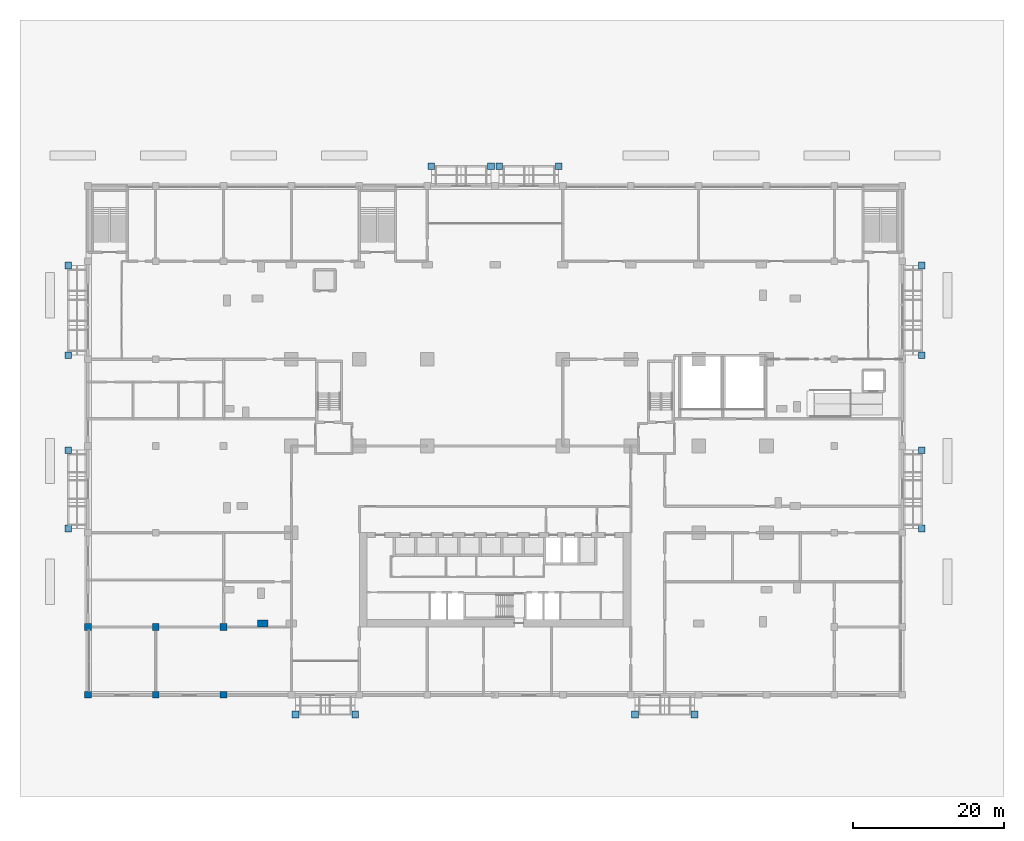
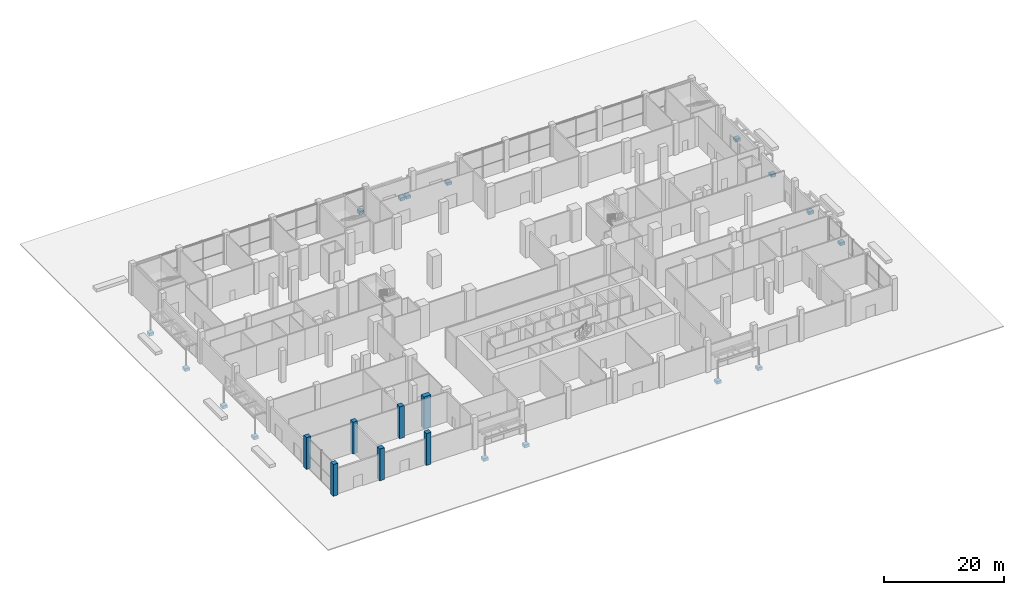
# One storey, part 1 of 39: 16 footings, 7 columns.
"""IFC4 building model written with IfcOpenShell, lengths in metres."""

from ifc_helpers import new_model, si_unit, direction, frame, origin, origin_2d, place, context, subcontext, project, spatial, rectangle, extrude, material, layer, layer_set, material_profile, profile_set, type_object, element, save


model = new_model("IFC4")

# Units and contexts
model_context = context("Model", 3, precision=1e-05, world=origin(), true_north=direction((0.0, 1.0)))
body_context = subcontext(model_context, "Body", "Model", "MODEL_VIEW")
ifc_project = project(units=[si_unit("LENGTHUNIT", "METRE"), si_unit("AREAUNIT", "SQUARE_METRE"), si_unit("VOLUMEUNIT", "CUBIC_METRE"), si_unit("PLANEANGLEUNIT", "RADIAN"), si_unit("MASSUNIT", "GRAM", prefix="KILO")], contexts=[model_context])

# Site, building, storey
site_placement = place(None, origin())
site = spatial("IfcSite", under=ifc_project, at=site_placement, CompositionType="ELEMENT")
building_placement = place(site_placement, origin())
building = spatial("IfcBuilding", under=site, at=building_placement, Name="Brigalow Station Residences", CompositionType="ELEMENT")
storey_placement = place(building_placement, origin())
storey = spatial("IfcBuildingStorey", under=building, at=storey_placement, Name="L00", CompositionType="ELEMENT", Elevation=0.0)

# Footings
ifc_material_1 = material(Name="Concrete C50", Category="concrete")
ifc_layer = layer(ifc_material_1, 0.60009765625)
ifc_layer_set = layer_set([ifc_layer], Name="CANOPY PAD FOOTING 900")
footing_type = type_object("IfcFootingType", Name="CANOPY PAD FOOTING 900", PredefinedType="PAD_FOOTING", material=ifc_layer_set)
for number, where, z_axis, x_axis, name in (
    (1, (92.595458984375, 36.050048828125, -1.0), (0.0, 0.0, 1.0), (0.0, 1.0, 0.0), "L00/canopy-pad/E-entry-1"),
    (2, (92.595458984375, 47.949951171875, -1.0), (0.0, 0.0, 1.0), (0.0, 1.0, 0.0), "L00/canopy-pad/E-entry-2"),
    (3, (92.595458984375, 13.050048828125, -1.0), (0.0, 0.0, 1.0), (0.0, 1.0, 0.0), "L00/canopy-pad/E-exit-1"),
    (4, (92.595458984375, 23.449951171875, -1.0), (0.0, 0.0, 1.0), (0.0, 1.0, 0.0), "L00/canopy-pad/E-exit-2"),
    (5, (36.550048828125, 61.111083984375, -1.0), (0.0, 0.0, 1.0), (1.0, 0.0, 0.0), "L00/canopy-pad/N-entry-e-1"),
    (6, (44.449951171875, 61.111083984375, -1.0), (0.0, 0.0, 1.0), (1.0, 0.0, 0.0), "L00/canopy-pad/N-entry-e-2"),
    (7, (27.550048828125, 61.111083984375, -1.0), (0.0, 0.0, 1.0), (1.0, 0.0, 0.0), "L00/canopy-pad/N-entry-w-1"),
    (8, (35.449951171875, 61.111083984375, -1.0), (0.0, 0.0, 1.0), (1.0, 0.0, 0.0), "L00/canopy-pad/N-entry-w-2"),
    (9, (9.550048828125, -11.611083984375, -1.0), (0.0, 0.0, 1.0), (1.0, 0.0, 0.0), "L00/canopy-pad/S-resvest-1"),
    (10, (17.449951171875, -11.611083984375, -1.0), (0.0, 0.0, 1.0), (1.0, 0.0, 0.0), "L00/canopy-pad/S-resvest-2"),
    (11, (54.550048828125, -11.611083984375, -1.0), (0.0, 0.0, 1.0), (1.0, 0.0, 0.0), "L00/canopy-pad/S-svc-1"),
    (12, (62.449951171875, -11.611083984375, -1.0), (0.0, 0.0, 1.0), (1.0, 0.0, 0.0), "L00/canopy-pad/S-svc-2"),
    (13, (-20.595458984375, 36.050048828125, -1.0), (0.0, 0.0, 1.0), (0.0, 1.0, 0.0), "L00/canopy-pad/W-entry-1"),
    (14, (-20.595458984375, 47.949951171875, -1.0), (0.0, 0.0, 1.0), (0.0, 1.0, 0.0), "L00/canopy-pad/W-entry-2"),
    (15, (-20.595458984375, 13.050048828125, -1.0), (0.0, 0.0, 1.0), (0.0, 1.0, 0.0), "L00/canopy-pad/W-exit-1"),
    (16, (-20.595458984375, 23.449951171875, -1.0), (0.0, 0.0, 1.0), (0.0, 1.0, 0.0), "L00/canopy-pad/W-exit-2"),
):
    element("IfcFooting", number, at=place(storey_placement, frame(where, z_axis=z_axis, x_axis=x_axis)), inside=storey, type_object=footing_type, Name=name, PredefinedType="PAD_FOOTING", context=body_context, shape_type="SweptSolid", body=[
        extrude(rectangle(XDim=0.89990234375, YDim=0.89990234375, at=origin_2d()), origin(), (0.0, 0.0, 1.0), 0.60009765625),
    ])

# Columns
ifc_material_2 = material(Name="Concrete C50", Category="concrete")
ifc_material_profile_1 = material_profile(ifc_material_2, rectangle(XDim=0.89990234375, YDim=0.89990234375, at=origin_2d()), Name="RC900x900")
ifc_profile_set_1 = profile_set([ifc_material_profile_1], Name="Concrete C50")
column_type_1 = type_object("IfcColumnType", Name="COLUMN 900x900 C50", PredefinedType="COLUMN", material=ifc_profile_set_1)
for number, where, z_axis, x_axis, name in (
    (17, (-18.0, -9.0, 0.0), (0.0, 0.0, 1.0), (1.0, 0.0, 0.0), "COLUMN ZW2 L00"),
    (18, (-18.0, 0.0, 0.0), (0.0, 0.0, 1.0), (1.0, 0.0, 0.0), "COLUMN AW2 L00"),
    (19, (-9.0, -9.0, 0.0), (0.0, 0.0, 1.0), (1.0, 0.0, 0.0), "COLUMN ZW1 L00"),
    (20, (-9.0, 0.0, 0.0), (0.0, 0.0, 1.0), (1.0, 0.0, 0.0), "COLUMN AW1 L00"),
    (21, (0.0, -9.0, 0.0), (0.0, 0.0, 1.0), (1.0, 0.0, 0.0), "COLUMN Z0 L00"),
    (22, (0.0, 0.0, 0.0), (0.0, 0.0, 1.0), (1.0, 0.0, 0.0), "COLUMN A0 L00"),
):
    element("IfcColumn", number, at=place(storey_placement, frame(where, z_axis=z_axis, x_axis=x_axis)), inside=storey, type_object=column_type_1, Name=name, PredefinedType="COLUMN", context=body_context, shape_type="SweptSolid", body=[
        extrude(rectangle(XDim=0.89990234375, YDim=0.89990234375, at=origin_2d()), origin(), (0.0, 0.0, 1.0), 6.5),
    ])
ifc_material_3 = material(Name="Concrete C80", Category="concrete")
ifc_material_profile_2 = material_profile(ifc_material_3, rectangle(XDim=1.39990234375, YDim=0.89990234375, at=origin_2d()), Name="RC1400x900")
ifc_profile_set_2 = profile_set([ifc_material_profile_2], Name="Concrete C80")
column_type_2 = type_object("IfcColumnType", Name="PIER 1400x900 C80", PredefinedType="USERDEFINED", material=ifc_profile_set_2)
column_placement = place(storey_placement, frame((5.199951171875, 0.449951171875, 0.0), z_axis=(0.0, 0.0, 1.0), x_axis=(1.0, 0.0, 0.0)))
element("IfcColumn", 23, at=column_placement, inside=storey, type_object=column_type_2, Name="PIER S-1 L00", ObjectType="PIER", PredefinedType="USERDEFINED", context=body_context, shape_type="SweptSolid", body=[
    extrude(rectangle(XDim=1.39990234375, YDim=0.89990234375, at=origin_2d()), origin(), (0.0, 0.0, 1.0), 6.5),
])

save(model, "model.ifc")
